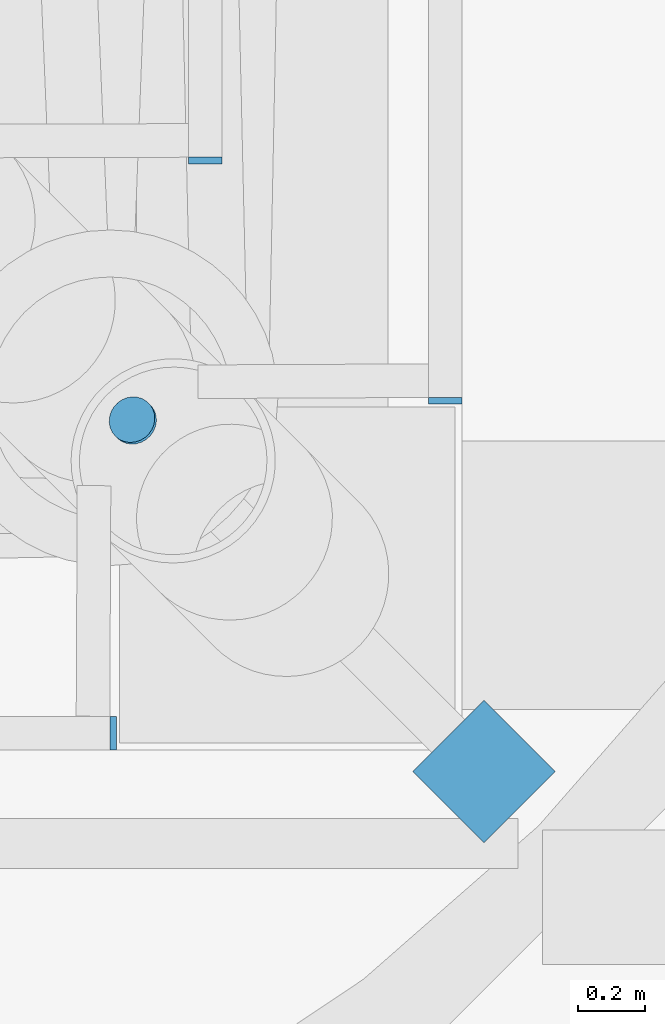
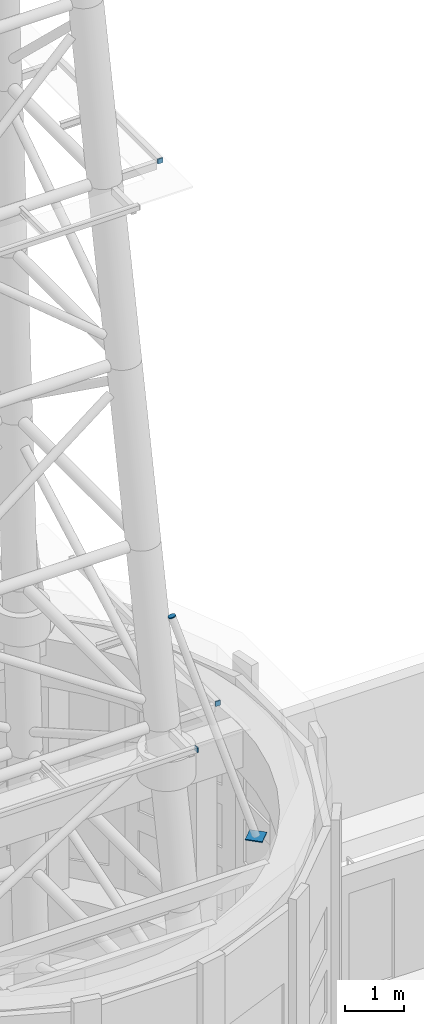
# One storey, part 19 of 36: 5 discrete accessories.
"""IFC4 building model written with IfcOpenShell, lengths in metres."""

from ifc_helpers import new_model, si_unit, direction, frame, origin, origin_2d, place, context, subcontext, project, spatial, rectangle, circle, extrude, material, material_profile, profile_set, type_object, element, save


model = new_model("IFC4")

# Units and contexts
model_context = context("Model", 3, precision=1e-05, world=origin(), true_north=direction((0.0, 1.0)))
body_context = subcontext(model_context, "Body", "Model", "MODEL_VIEW")
ifc_project = project(units=[si_unit("LENGTHUNIT", "METRE"), si_unit("AREAUNIT", "SQUARE_METRE"), si_unit("VOLUMEUNIT", "CUBIC_METRE"), si_unit("PLANEANGLEUNIT", "RADIAN"), si_unit("MASSUNIT", "GRAM", prefix="KILO")], contexts=[model_context])

# Site, building, storey
site_placement = place(None, origin())
site = spatial("IfcSite", under=ifc_project, at=site_placement, CompositionType="ELEMENT")
building_placement = place(site_placement, origin())
building = spatial("IfcBuilding", under=site, at=building_placement, Name="Ipe Terrace Towers", CompositionType="ELEMENT")
storey_placement = place(building_placement, frame((0.0, 0.0, 264.89990234375)))
storey = spatial("IfcBuildingStorey", under=building, at=storey_placement, Name="Roof", CompositionType="ELEMENT", Elevation=264.89990234375)

# Discrete accessories
ifc_material_1 = material(Name="Steel S355", Category="steel")
ifc_material_profile_1 = material_profile(ifc_material_1, rectangle(XDim=0.10009765625, YDim=0.10009765625, at=origin_2d()), Name="MAST END PLATE 100 x 100 x 20")
ifc_profile_set_1 = profile_set([ifc_material_profile_1], Name="Steel S355")
discrete_accessory_type_1 = type_object("IfcDiscreteAccessoryType", Name="MAST END PLATE 100 x 100 x 20", PredefinedType="BRACKET", material=ifc_profile_set_1)
for number, where, z_axis, x_axis, name in (
    (1, (-33.529052734375, -3.470947265625, 10.2470703125), (1.0, 0.0, 0.0), (0.0, 1.0, 0.0), "mast end plate"),
    (2, (-32.529052734375, -2.470947265625, 10.2470703125), (0.0, -1.0, 0.0), (1.0, 0.0, 0.0), "mast end plate"),
    (3, (-33.2451171875, -1.7548828125, 21.31005859375), (0.0, -1.0, 0.0), (1.0, 0.0, 0.0), "mast end plate"),
):
    element("IfcDiscreteAccessory", number, at=place(storey_placement, frame(where, z_axis=z_axis, x_axis=x_axis)), inside=storey, type_object=discrete_accessory_type_1, Name=name, PredefinedType="BRACKET", context=body_context, shape_type="SweptSolid", body=[
        extrude(rectangle(XDim=0.10009765625, YDim=0.10009765625, at=origin_2d()), origin(), (0.0, 0.0, 1.0), 0.02001953125),
    ])
ifc_material_2 = material(Name="Steel S355", Category="steel")
ifc_material_profile_2 = material_profile(ifc_material_2, circle(Radius=0.070068359375, at=origin_2d()), Name="MAST END PLATE 140 DIA x 20")
ifc_profile_set_2 = profile_set([ifc_material_profile_2], Name="Steel S355")
discrete_accessory_type_2 = type_object("IfcDiscreteAccessoryType", Name="MAST END PLATE 140 DIA x 20", PredefinedType="BRACKET", material=ifc_profile_set_2)
discrete_accessory_1_placement = place(storey_placement, frame((-33.4580078125, -2.5419921875, 12.403076171875), z_axis=(-0.241051348201, 0.241051348201, 0.940100257984), x_axis=(-0.707106781187, -0.707106781187, 0.0)))
element("IfcDiscreteAccessory", 4, at=discrete_accessory_1_placement, inside=storey, type_object=discrete_accessory_type_2, Name="mast end plate", PredefinedType="BRACKET", context=body_context, shape_type="SweptSolid", body=[
    extrude(circle(Radius=0.070068359375, at=origin_2d()), origin(), (0.0, 0.0, 1.0), 0.020263671875),
])
ifc_material_3 = material(Name="Steel S355", Category="steel")
discrete_accessory_type_3 = type_object("IfcDiscreteAccessoryType", Name="MAST STAY BASE PLATE 300 x 300 x 20", PredefinedType="BRACKET", material=ifc_material_3)
discrete_accessory_2_placement = place(storey_placement, frame((-32.4140625, -3.5859375, 8.110107421875), z_axis=(0.0, 0.0, 1.0), x_axis=(-0.707106781187, 0.707106781187, 0.0)))
element("IfcDiscreteAccessory", 5, at=discrete_accessory_2_placement, inside=storey, type_object=discrete_accessory_type_3, Name="mast stay base plate", PredefinedType="BRACKET", context=body_context, shape_type="SweptSolid", body=[
    extrude(rectangle(XDim=0.300048828125, YDim=0.300048828125, at=origin_2d()), origin(), (0.0, 0.0, 1.0), 0.02001953125),
])

save(model, "model.ifc")
